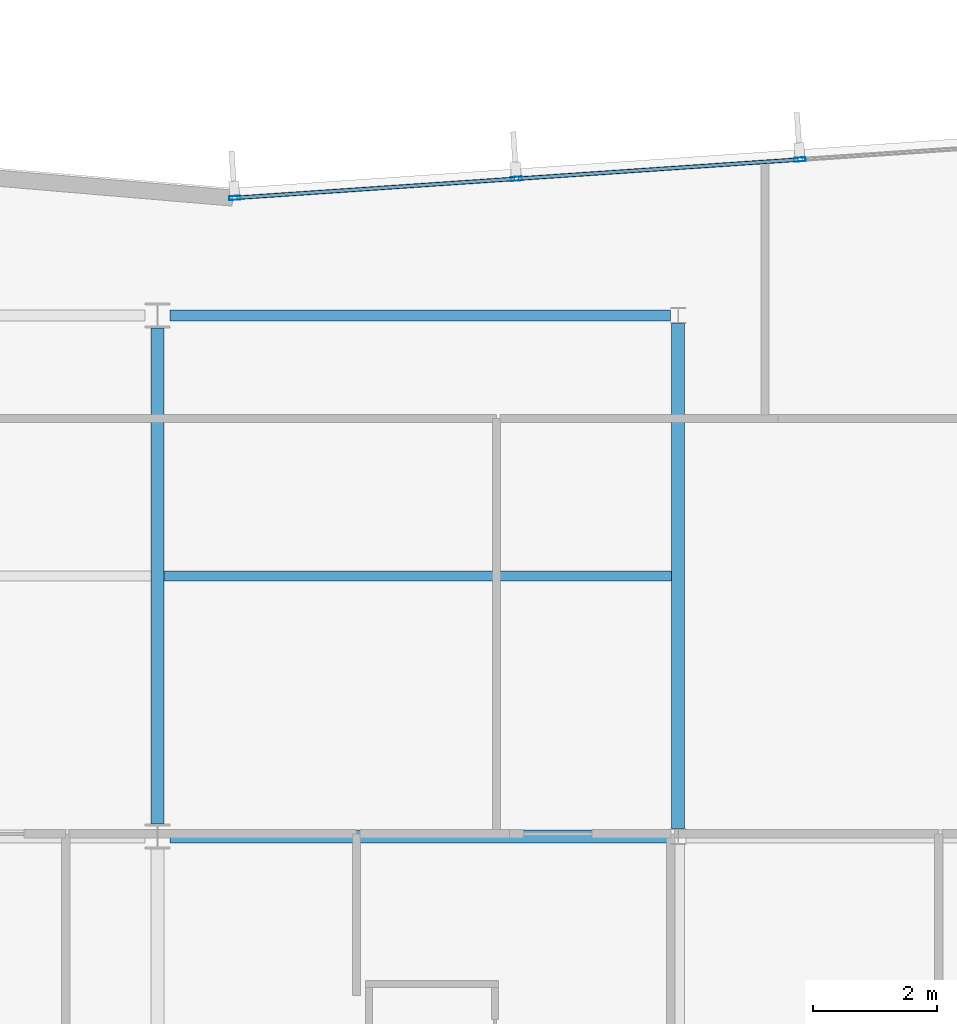
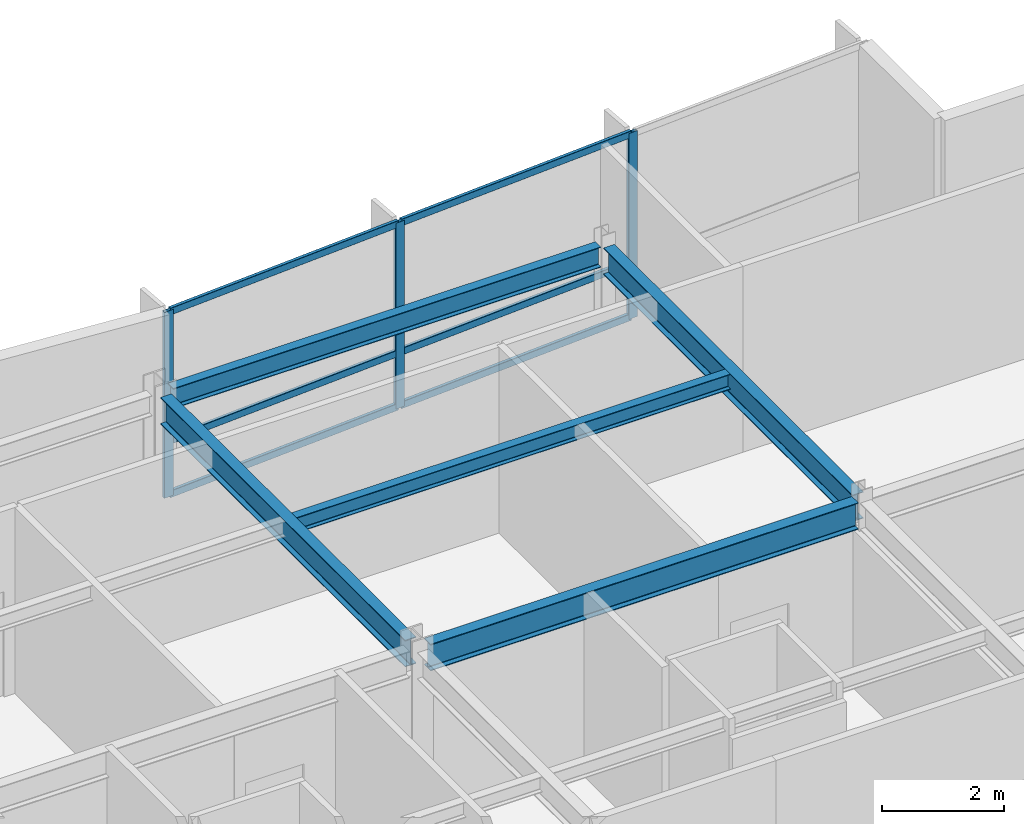
# One storey, part 6 of 16: 9 members, 5 beams, 1 element without a shape of its own.
"""IFC4 building model written with IfcOpenShell, lengths in metres."""

from ifc_helpers import new_model, si_unit, direction, frame, origin, origin_2d, place, context, subcontext, project, spatial, hollow_rectangle, i_section, extrude, material, layer, layer_set, material_profile, profile_set, type_object, element, aggregate, save


model = new_model("IFC4")

# Units and contexts
model_context = context("Model", 3, precision=1e-05, world=origin(), true_north=direction((0.0, 1.0)))
body_context = subcontext(model_context, "Body", "Model", "MODEL_VIEW")
ifc_project = project(units=[si_unit("LENGTHUNIT", "METRE"), si_unit("AREAUNIT", "SQUARE_METRE"), si_unit("VOLUMEUNIT", "CUBIC_METRE"), si_unit("PLANEANGLEUNIT", "RADIAN"), si_unit("MASSUNIT", "GRAM", prefix="KILO")], contexts=[model_context])

# Site, building, storey
site_placement = place(None, origin())
site = spatial("IfcSite", under=ifc_project, at=site_placement, CompositionType="ELEMENT")
building_placement = place(site_placement, origin())
building = spatial("IfcBuilding", under=site, at=building_placement, Name="Varnakote Quay Hospital", CompositionType="ELEMENT")
storey_placement = place(building_placement, frame((0.0, 0.0, 188.14990234375)))
storey = spatial("IfcBuildingStorey", under=building, at=storey_placement, Name="L46", CompositionType="ELEMENT", Elevation=188.14990234375)

# Beams
ifc_material_1 = material(Name="Structural steel AS/NZS 3679.1 Grade 350 L0 (fy 340 MPa)", Category="steel")
ifc_material_profile_1 = material_profile(ifc_material_1, i_section(OverallWidth=0.208984375, OverallDepth=0.532958984375, WebThickness=0.01025390625, FlangeThickness=0.015625, FilletRadius=0.013916015625, at=origin_2d()), Name="530UB92.4")
ifc_profile_set_1 = profile_set([ifc_material_profile_1], Name="Structural steel AS/NZS 3679.1 Grade 350 L0 (fy 340 MPa)")
beam_type_1 = type_object("IfcBeamType", Name="BM-STL-530UB92-4", PredefinedType="BEAM", material=ifc_profile_set_1)
beam_1_placement = place(storey_placement, frame((33.800048828125, 20.39990234375, 3.443603515625), z_axis=(1.0, 0.0, 0.0), x_axis=(0.0, 1.0, 0.0)))
element("IfcBeam", 1, at=beam_1_placement, inside=storey, type_object=beam_type_1, Name="L46 Primary Floor Beam", PredefinedType="BEAM", context=body_context, shape_type="SweptSolid", body=[
    extrude(i_section(OverallWidth=0.208984375, OverallDepth=0.532958984375, WebThickness=0.01025390625, FlangeThickness=0.015625, FilletRadius=0.013916015625, at=origin_2d()), origin(), (0.0, 0.0, 1.0), 8.072021484375),
])
beam_2_placement = place(storey_placement, frame((33.60009765625, 20.60205078125, 3.443603515625), z_axis=(0.0, 1.0, 0.0), x_axis=(-1.0, 0.0, 0.0)))
element("IfcBeam", 2, at=beam_2_placement, inside=storey, type_object=beam_type_1, Name="L46 Primary Tie Beam", PredefinedType="BEAM", context=body_context, shape_type="SweptSolid", body=[
    extrude(i_section(OverallWidth=0.208984375, OverallDepth=0.532958984375, WebThickness=0.01025390625, FlangeThickness=0.015625, FilletRadius=0.013916015625, at=origin_2d()), origin(), (0.0, 0.0, 1.0), 7.995849609375),
])
beam_3_placement = place(storey_placement, frame((42.0, 20.530029296875, 3.443603515625), z_axis=(0.0, 1.0, 0.0), x_axis=(-1.0, 0.0, 0.0)))
element("IfcBeam", 3, at=beam_3_placement, inside=storey, type_object=beam_type_1, Name="L46 Primary Tie Beam", PredefinedType="BEAM", context=body_context, shape_type="SweptSolid", body=[
    extrude(i_section(OverallWidth=0.208984375, OverallDepth=0.532958984375, WebThickness=0.01025390625, FlangeThickness=0.015625, FilletRadius=0.013916015625, at=origin_2d()), origin(), (0.0, 0.0, 1.0), 8.139892578125),
])

# Curtain wall, members
ifc_material_2 = material(Name="Anodised aluminium 6063-T6 Bronze", Category="aluminium")
ifc_layer = layer(ifc_material_2, 0.219970703125)
ifc_layer_set = layer_set([ifc_layer], Name="Anodised aluminium 6063-T6 Bronze")
curtain_wall_type = type_object("IfcCurtainWallType", Name="CW-SYS-4", PredefinedType="NOTDEFINED", material=ifc_layer_set)
curtain_wall_placement = place(storey_placement, origin())
curtain_wall = element("IfcCurtainWall", 4, at=curtain_wall_placement, inside=storey, type_object=curtain_wall_type, Name="L46 Unitised Bronze Curtain Wall 2", PredefinedType="NOTDEFINED")
ifc_material_3 = material(Name="Anodised aluminium 6063-T6 Bronze", Category="aluminium")
ifc_material_profile_2 = material_profile(ifc_material_3, hollow_rectangle(XDim=0.06494140625, YDim=0.179931640625, WallThickness=0.00390625, InnerFilletRadius=0.00390625, OuterFilletRadius=0.008056640625, at=origin_2d()), Name="CW-MULL-180x65")
ifc_profile_set_2 = profile_set([ifc_material_profile_2], Name="Anodised aluminium 6063-T6 Bronze")
member_type_1 = type_object("IfcMemberType", Name="CW-MULL-180x65", PredefinedType="MULLION", material=ifc_profile_set_2)
member_1_placement = place(storey_placement, frame((43.96484375, 31.317626953125, 0.0), z_axis=(0.0, 0.0, 1.0), x_axis=(0.067841851077, -0.997696087615, 0.0)))
member_1 = element("IfcMember", 5, at=member_1_placement, type_object=member_type_1, Name="-4-L46-2 mullion 2", PredefinedType="MULLION", context=body_context, shape_type="SweptSolid", body=[
    extrude(hollow_rectangle(XDim=0.06494140625, YDim=0.179931640625, WallThickness=0.00390625, InnerFilletRadius=0.00390625, OuterFilletRadius=0.008056640625, at=origin_2d()), origin(), (0.0, 0.0, 1.0), 3.710205078125),
])
member_2_placement = place(storey_placement, frame((39.389892578125, 31.006591796875, 0.0), z_axis=(0.0, 0.0, 1.0), x_axis=(0.067841851077, -0.997696087615, 0.0)))
member_2 = element("IfcMember", 6, at=member_2_placement, type_object=member_type_1, Name="-4-L46-2 mullion 3", PredefinedType="MULLION", context=body_context, shape_type="SweptSolid", body=[
    extrude(hollow_rectangle(XDim=0.06494140625, YDim=0.179931640625, WallThickness=0.00390625, InnerFilletRadius=0.00390625, OuterFilletRadius=0.008056640625, at=origin_2d()), origin(), (0.0, 0.0, 1.0), 3.710205078125),
])
member_3_placement = place(storey_placement, frame((34.84716796875, 30.69775390625, 0.0), z_axis=(0.0, 0.0, 1.0), x_axis=(0.067841851077, -0.997696087615, 0.0)))
member_3 = element("IfcMember", 7, at=member_3_placement, type_object=member_type_1, Name="-4-L46-2 mullion 4", PredefinedType="MULLION", context=body_context, shape_type="SweptSolid", body=[
    extrude(hollow_rectangle(XDim=0.06494140625, YDim=0.179931640625, WallThickness=0.00390625, InnerFilletRadius=0.00390625, OuterFilletRadius=0.008056640625, at=origin_2d()), origin(), (0.0, 0.0, 1.0), 3.710205078125),
])
ifc_material_4 = material(Name="Anodised aluminium 6063-T6 Bronze", Category="aluminium")
ifc_material_profile_3 = material_profile(ifc_material_4, hollow_rectangle(XDim=0.06494140625, YDim=0.139892578125, WallThickness=0.00390625, InnerFilletRadius=0.00390625, OuterFilletRadius=0.007568359375, at=origin_2d()), Name="CW-TRAN-140x65")
ifc_profile_set_3 = profile_set([ifc_material_profile_3], Name="Anodised aluminium 6063-T6 Bronze")
member_type_2 = type_object("IfcMemberType", Name="CW-TRAN-140x65", PredefinedType="USERDEFINED", material=ifc_profile_set_3)
member_4_placement = place(storey_placement, frame((43.932373046875, 31.3154296875, 0.03271484375), z_axis=(-0.997696835235, -0.06783085553, 0.0), x_axis=(0.06783085553, -0.997696835235, 0.0)))
member_4 = element("IfcMember", 8, at=member_4_placement, type_object=member_type_2, Name="-4-L46-2 transom 2.1", ObjectType="TRANSOM", PredefinedType="USERDEFINED", context=body_context, shape_type="SweptSolid", body=[
    extrude(hollow_rectangle(XDim=0.06494140625, YDim=0.139892578125, WallThickness=0.00390625, InnerFilletRadius=0.00390625, OuterFilletRadius=0.007568359375, at=origin_2d()), origin(), (0.0, 0.0, 1.0), 4.520751953125),
])
member_5_placement = place(storey_placement, frame((43.932373046875, 31.3154296875, 1.10009765625), z_axis=(-0.997696835235, -0.06783085553, 0.0), x_axis=(0.06783085553, -0.997696835235, 0.0)))
member_5 = element("IfcMember", 9, at=member_5_placement, type_object=member_type_2, Name="-4-L46-2 transom 2.2", ObjectType="TRANSOM", PredefinedType="USERDEFINED", context=body_context, shape_type="SweptSolid", body=[
    extrude(hollow_rectangle(XDim=0.06494140625, YDim=0.139892578125, WallThickness=0.00390625, InnerFilletRadius=0.00390625, OuterFilletRadius=0.007568359375, at=origin_2d()), origin(), (0.0, 0.0, 1.0), 4.520751953125),
])
member_6_placement = place(storey_placement, frame((43.932373046875, 31.3154296875, 3.677490234375), z_axis=(-0.997696835235, -0.06783085553, 0.0), x_axis=(0.06783085553, -0.997696835235, 0.0)))
member_6 = element("IfcMember", 10, at=member_6_placement, type_object=member_type_2, Name="-4-L46-2 transom 2.3", ObjectType="TRANSOM", PredefinedType="USERDEFINED", context=body_context, shape_type="SweptSolid", body=[
    extrude(hollow_rectangle(XDim=0.06494140625, YDim=0.139892578125, WallThickness=0.00390625, InnerFilletRadius=0.00390625, OuterFilletRadius=0.007568359375, at=origin_2d()), origin(), (0.0, 0.0, 1.0), 4.520751953125),
])
member_7_placement = place(storey_placement, frame((39.357421875, 31.00439453125, 0.03271484375), z_axis=(-0.997696679404, -0.06783314755, 0.0), x_axis=(0.06783314755, -0.997696679404, 0.0)))
member_7 = element("IfcMember", 11, at=member_7_placement, type_object=member_type_2, Name="-4-L46-2 transom 3.1", ObjectType="TRANSOM", PredefinedType="USERDEFINED", context=body_context, shape_type="SweptSolid", body=[
    extrude(hollow_rectangle(XDim=0.06494140625, YDim=0.139892578125, WallThickness=0.00390625, InnerFilletRadius=0.00390625, OuterFilletRadius=0.007568359375, at=origin_2d()), origin(), (0.0, 0.0, 1.0), 4.488037109375),
])
member_8_placement = place(storey_placement, frame((39.357421875, 31.00439453125, 1.10009765625), z_axis=(-0.997696679404, -0.06783314755, 0.0), x_axis=(0.06783314755, -0.997696679404, 0.0)))
member_8 = element("IfcMember", 12, at=member_8_placement, type_object=member_type_2, Name="-4-L46-2 transom 3.2", ObjectType="TRANSOM", PredefinedType="USERDEFINED", context=body_context, shape_type="SweptSolid", body=[
    extrude(hollow_rectangle(XDim=0.06494140625, YDim=0.139892578125, WallThickness=0.00390625, InnerFilletRadius=0.00390625, OuterFilletRadius=0.007568359375, at=origin_2d()), origin(), (0.0, 0.0, 1.0), 4.488037109375),
])
member_9_placement = place(storey_placement, frame((39.357421875, 31.00439453125, 3.677490234375), z_axis=(-0.997696679404, -0.06783314755, 0.0), x_axis=(0.06783314755, -0.997696679404, 0.0)))
member_9 = element("IfcMember", 13, at=member_9_placement, type_object=member_type_2, Name="-4-L46-2 transom 3.3", ObjectType="TRANSOM", PredefinedType="USERDEFINED", context=body_context, shape_type="SweptSolid", body=[
    extrude(hollow_rectangle(XDim=0.06494140625, YDim=0.139892578125, WallThickness=0.00390625, InnerFilletRadius=0.00390625, OuterFilletRadius=0.007568359375, at=origin_2d()), origin(), (0.0, 0.0, 1.0), 4.488037109375),
])
aggregate(curtain_wall, [member_1, member_2, member_3, member_4, member_5, member_6, member_7, member_8, member_9])

# Beams
ifc_material_5 = material(Name="Structural steel AS/NZS 3679.1 Grade 350 L0 (fy 340 MPa)", Category="steel")
ifc_material_profile_4 = material_profile(ifc_material_5, i_section(OverallWidth=0.166015625, OverallDepth=0.306884765625, WebThickness=0.006591796875, FlangeThickness=0.01171875, FilletRadius=0.011474609375, at=origin_2d()), Name="310UB46.2")
ifc_profile_set_4 = profile_set([ifc_material_profile_4], Name="Structural steel AS/NZS 3679.1 Grade 350 L0 (fy 340 MPa)")
beam_type_2 = type_object("IfcBeamType", Name="JST-STL-310UB46-2", PredefinedType="JOIST", material=ifc_profile_set_4)
beam_4_placement = place(storey_placement, frame((33.70458984375, 24.60009765625, 3.556640625), z_axis=(1.0, 0.0, 0.0), x_axis=(0.0, 1.0, 0.0)))
element("IfcBeam", 14, at=beam_4_placement, inside=storey, type_object=beam_type_2, Name="L46 Composite Floor Joist", PredefinedType="JOIST", context=body_context, shape_type="SweptSolid", body=[
    extrude(i_section(OverallWidth=0.166015625, OverallDepth=0.306884765625, WebThickness=0.006591796875, FlangeThickness=0.01171875, FilletRadius=0.011474609375, at=origin_2d()), origin(), (0.0, 0.0, 1.0), 8.19091796875),
])
ifc_material_6 = material(Name="Structural steel AS/NZS 3679.1 Grade 350 L0 (fy 340 MPa)", Category="steel")
ifc_material_profile_5 = material_profile(ifc_material_6, i_section(OverallWidth=0.177978515625, OverallDepth=0.406005859375, WebThickness=0.0078125, FlangeThickness=0.0126953125, FilletRadius=0.011474609375, at=origin_2d()), Name="410UB59.7")
ifc_profile_set_5 = profile_set([ifc_material_profile_5], Name="Structural steel AS/NZS 3679.1 Grade 350 L0 (fy 340 MPa)")
beam_type_3 = type_object("IfcBeamType", Name="SPN-STL-410UB59-7", PredefinedType="SPANDREL", material=ifc_profile_set_5)
beam_5_placement = place(storey_placement, frame((33.800048828125, 28.800048828125, 3.507080078125), z_axis=(1.0, 0.0, 0.0), x_axis=(0.0, 1.0, 0.0)))
element("IfcBeam", 15, at=beam_5_placement, inside=storey, type_object=beam_type_3, Name="L46 Perimeter Spandrel Beam", PredefinedType="SPANDREL", context=body_context, shape_type="SweptSolid", body=[
    extrude(i_section(OverallWidth=0.177978515625, OverallDepth=0.406005859375, WebThickness=0.0078125, FlangeThickness=0.0126953125, FilletRadius=0.011474609375, at=origin_2d()), origin(), (0.0, 0.0, 1.0), 8.072021484375),
])

save(model, "model.ifc")
